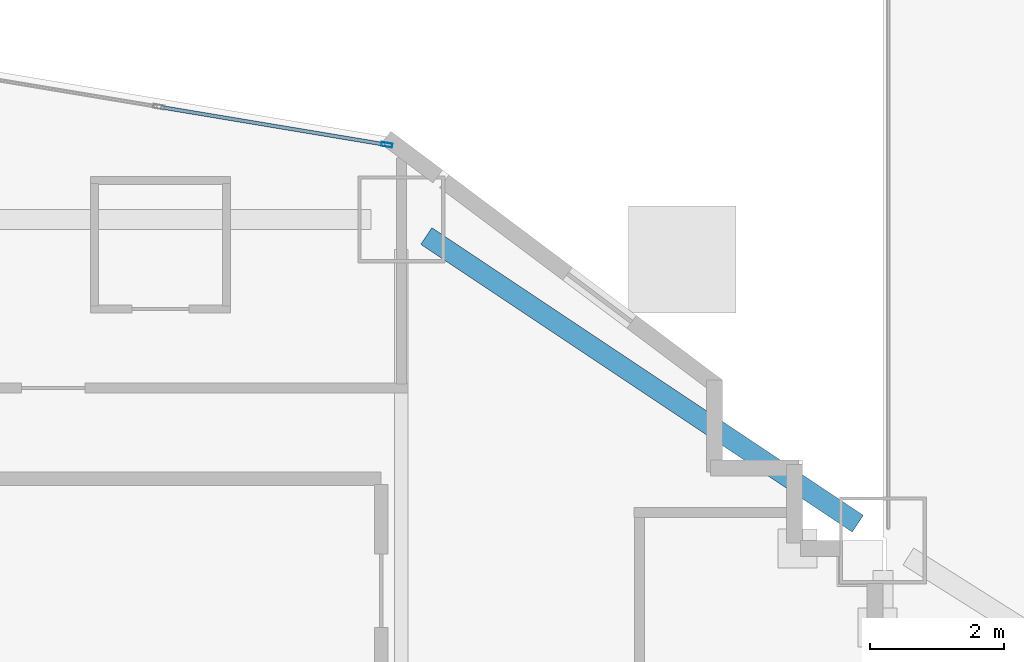
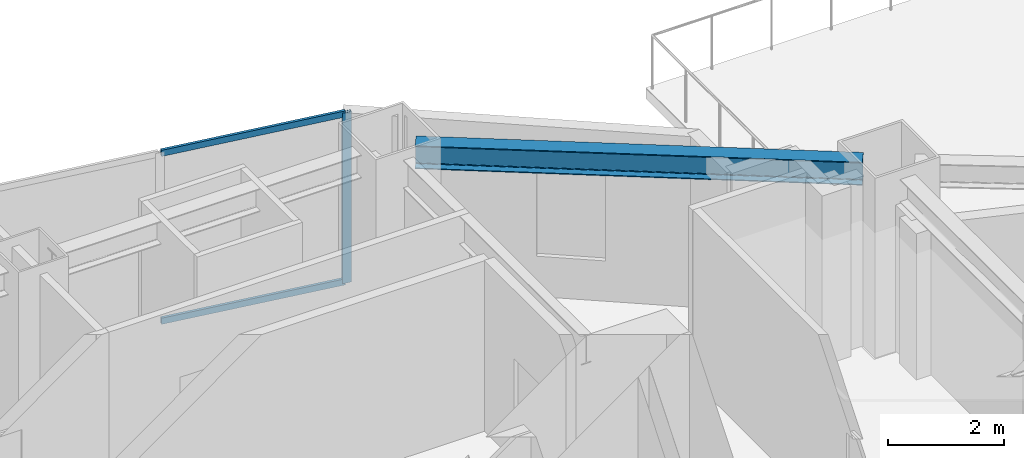
# One storey, part 5 of 20: 3 members, 1 beam, 1 element without a shape of its own.
"""IFC4 building model written with IfcOpenShell, lengths in metres."""

from ifc_helpers import new_model, si_unit, direction, frame, origin, origin_2d, place, context, subcontext, project, spatial, hollow_rectangle, i_section, extrude, material, layer, layer_set, material_profile, profile_set, type_object, element, aggregate, save


model = new_model("IFC4")

# Units and contexts
model_context = context("Model", 3, precision=1e-05, world=origin(), true_north=direction((0.0, 1.0)))
body_context = subcontext(model_context, "Body", "Model", "MODEL_VIEW")
ifc_project = project(units=[si_unit("LENGTHUNIT", "METRE"), si_unit("AREAUNIT", "SQUARE_METRE"), si_unit("VOLUMEUNIT", "CUBIC_METRE"), si_unit("PLANEANGLEUNIT", "RADIAN"), si_unit("MASSUNIT", "GRAM", prefix="KILO")], contexts=[model_context])

# Site, building, storey
site_placement = place(None, origin())
site = spatial("IfcSite", under=ifc_project, at=site_placement, CompositionType="ELEMENT")
building_placement = place(site_placement, origin())
building = spatial("IfcBuilding", under=site, at=building_placement, Name="Haolan Belvedere Tower", CompositionType="ELEMENT")
storey_placement = place(building_placement, frame((0.0, 0.0, 24.0)))
storey = spatial("IfcBuildingStorey", under=building, at=storey_placement, Name="L05", CompositionType="ELEMENT", Elevation=24.0)

# Beam
ifc_material_1 = material(Name="Steel Q355B", Category="steel")
ifc_material_profile_1 = material_profile(ifc_material_1, i_section(OverallWidth=0.300048828125, OverallDepth=0.488037109375, WebThickness=0.010986328125, FlangeThickness=0.01806640625, FilletRadius=0.02587890625, at=origin_2d()), Name="Steel Q355B")
ifc_profile_set_1 = profile_set([ifc_material_profile_1], Name="Steel Q355B")
beam_type = type_object("IfcBeamType", Name="BM-HM488x300x11x18", PredefinedType="SPANDREL", material=ifc_profile_set_1)
beam_placement = place(storey_placement, frame((45.974365234375, 50.150390625, 3.35595703125), z_axis=(0.832050294338, -0.554700196225, 0.0), x_axis=(0.554700196225, 0.832050294338, 0.0)))
element("IfcBeam", 1, at=beam_placement, inside=storey, type_object=beam_type, Name="L05 spandrel girder MC-T3-N2-MC-T3-NE", PredefinedType="SPANDREL", context=body_context, shape_type="SweptSolid", body=[
    extrude(i_section(OverallWidth=0.300048828125, OverallDepth=0.488037109375, WebThickness=0.010986328125, FlangeThickness=0.01806640625, FilletRadius=0.02587890625, at=origin_2d()), origin(), (0.0, 0.0, 1.0), 7.75341796875),
])

# Curtain wall, members
ifc_material_2 = material(Name="Anodised champagne-silver aluminium 6063-T6 and Low-E glass", Category="aluminium")
ifc_layer = layer(ifc_material_2, 0.1650390625, Name="Anodised champagne-silver aluminium 6063-T6 and Low-E glass")
ifc_layer_set = layer_set([ifc_layer], Name="Anodised champagne-silver aluminium 6063-T6 and Low-E glass")
curtain_wall_type = type_object("IfcCurtainWallType", Name="CW-SYS-02", PredefinedType="NOTDEFINED", material=ifc_layer_set)
curtain_wall_placement = place(storey_placement, origin())
curtain_wall = element("IfcCurtainWall", 2, at=curtain_wall_placement, inside=storey, type_object=curtain_wall_type, Name="L05 CW-SYS-02 ribbon curtain wall 42.1", PredefinedType="NOTDEFINED")
ifc_material_3 = material(Name="Anodised aluminium 6063-T6", Category="aluminium")
ifc_material_profile_2 = material_profile(ifc_material_3, hollow_rectangle(XDim=0.06005859375, YDim=0.1650390625, WallThickness=0.00390625, at=origin_2d()), Name="Anodised aluminium 6063-T6")
ifc_profile_set_2 = profile_set([ifc_material_profile_2], Name="Anodised aluminium 6063-T6")
member_type_1 = type_object("IfcMemberType", Name="CW-SYS-02-MUL", PredefinedType="MULLION", material=ifc_profile_set_2)
member_1_placement = place(storey_placement, frame((45.3837890625, 51.514404296875, 0.0), z_axis=(0.0, 0.0, 1.0), x_axis=(-0.16440364043, -0.9863931483, 0.0)))
member_1 = element("IfcMember", 3, at=member_1_placement, type_object=member_type_1, Name="CW-02 mullion 1", PredefinedType="MULLION", context=body_context, shape_type="SweptSolid", body=[
    extrude(hollow_rectangle(XDim=0.06005859375, YDim=0.1650390625, WallThickness=0.00390625, at=origin_2d()), origin(), (0.0, 0.0, 1.0), 3.60009765625),
])
ifc_material_profile_3 = material_profile(ifc_material_3, hollow_rectangle(XDim=0.054931640625, YDim=0.1298828125, WallThickness=0.00390625, at=origin_2d()), Name="Anodised aluminium 6063-T6")
ifc_profile_set_3 = profile_set([ifc_material_profile_3], Name="Anodised aluminium 6063-T6")
member_type_2 = type_object("IfcMemberType", Name="CW-SYS-02-TRN", PredefinedType="USERDEFINED", material=ifc_profile_set_3)
member_2_placement = place(storey_placement, frame((45.35400390625, 51.519287109375, 0.027587890625), z_axis=(-0.986393923832, 0.164398987305, 0.0), x_axis=(-0.164398987305, -0.986393923832, 0.0)))
member_2 = element("IfcMember", 4, at=member_2_placement, type_object=member_type_2, Name="CW-02 transom 1.1", ObjectType="TRANSOM", PredefinedType="USERDEFINED", context=body_context, shape_type="SweptSolid", body=[
    extrude(hollow_rectangle(XDim=0.054931640625, YDim=0.1298828125, WallThickness=0.00390625, at=origin_2d()), origin(), (0.0, 0.0, 1.0), 3.394775390625),
])
member_3_placement = place(storey_placement, frame((45.35400390625, 51.519287109375, 3.572509765625), z_axis=(-0.986393923832, 0.164398987305, 0.0), x_axis=(-0.164398987305, -0.986393923832, 0.0)))
member_3 = element("IfcMember", 5, at=member_3_placement, type_object=member_type_2, Name="CW-02 transom 1.2", ObjectType="TRANSOM", PredefinedType="USERDEFINED", context=body_context, shape_type="SweptSolid", body=[
    extrude(hollow_rectangle(XDim=0.054931640625, YDim=0.1298828125, WallThickness=0.00390625, at=origin_2d()), origin(), (0.0, 0.0, 1.0), 3.394775390625),
])
aggregate(curtain_wall, [member_1, member_2, member_3])

save(model, "model.ifc")
